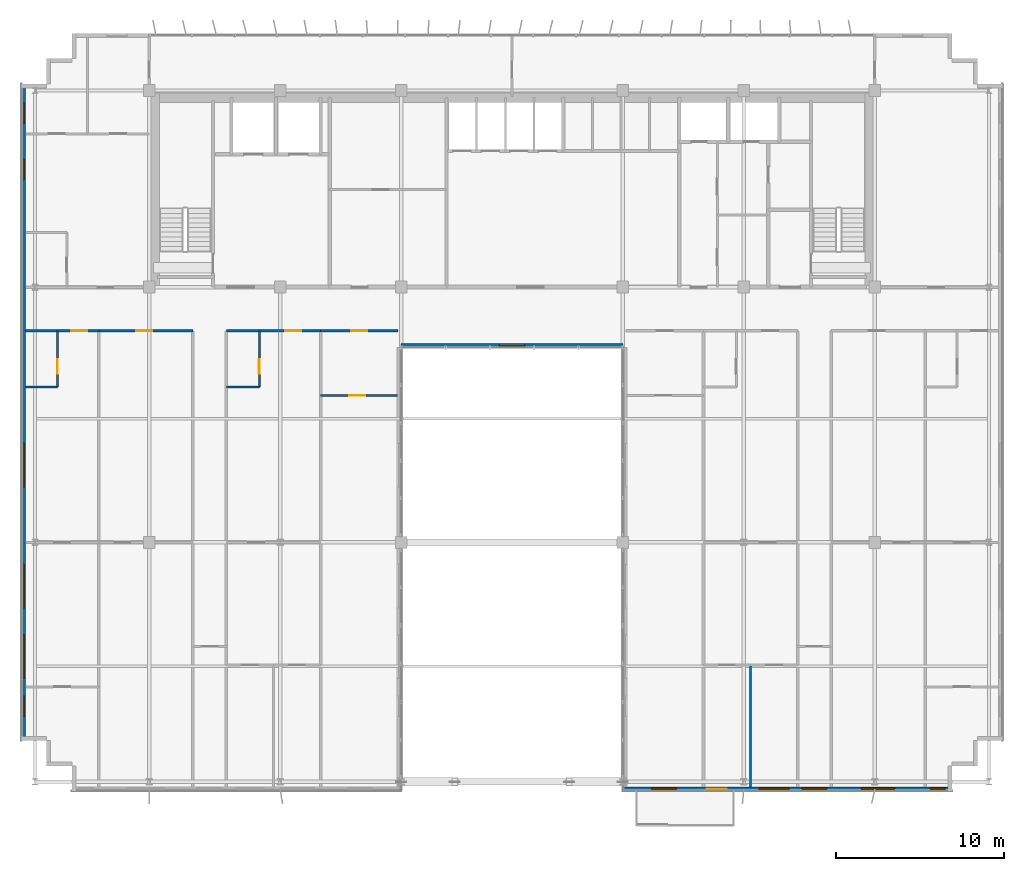
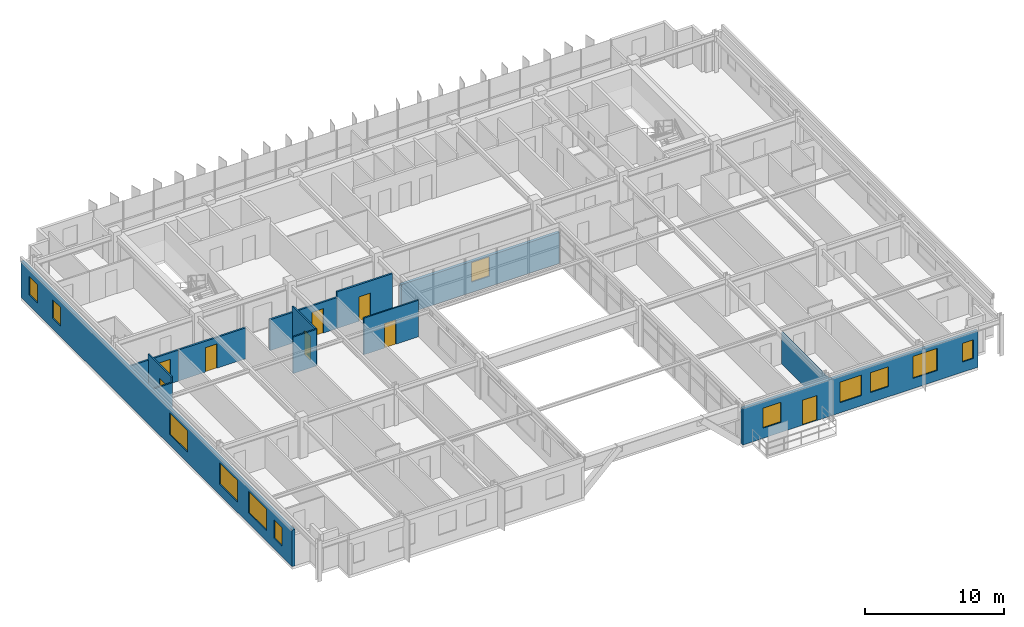
# One storey, part 31 of 37: 13 walls, 12 windows, 8 doors, 20 openings.
"""IFC4 building model written with IfcOpenShell, lengths in metres."""

from ifc_helpers import new_model, si_unit, direction, frame, frame_2d, origin, place, context, subcontext, project, spatial, rectangle, extrude, source, transform, mapped, material, layer, layer_set, type_object, element, fill, save


model = new_model("IFC4")

# Units and contexts
model_context = context("Model", 3, precision=1e-05, world=origin(), true_north=direction((0.0, 1.0)))
body_context = subcontext(model_context, "Body", "Model", "MODEL_VIEW")
ifc_project = project(units=[si_unit("LENGTHUNIT", "METRE"), si_unit("AREAUNIT", "SQUARE_METRE"), si_unit("VOLUMEUNIT", "CUBIC_METRE"), si_unit("PLANEANGLEUNIT", "RADIAN"), si_unit("MASSUNIT", "GRAM", prefix="KILO")], contexts=[model_context])

# Site, building, storey
site_placement = place(None, origin())
site = spatial("IfcSite", under=ifc_project, at=site_placement, CompositionType="ELEMENT")
building_placement = place(site_placement, origin())
building = spatial("IfcBuilding", under=site, at=building_placement, Name="Trelvane Seafront Commons", CompositionType="ELEMENT")
storey_placement = place(building_placement, frame((0.0, 0.0, 201.300048828125)))
storey = spatial("IfcBuildingStorey", under=building, at=storey_placement, Name="L52", CompositionType="ELEMENT", Elevation=201.300048828125)

# Wall, openings, windows
ifc_material_1 = material(Name="Precast concrete C40/50", Category="concrete")
ifc_layer_1 = layer(ifc_material_1, 0.239990234375, Name="ARCH-WALL-EXT240")
ifc_layer_set_1 = layer_set([ifc_layer_1], Name="Precast concrete C40/50")
wall_type_1 = type_object("IfcWallType", Name="ARCH-WALL-EXT240", PredefinedType="SOLIDWALL", material=ifc_layer_set_1)
wall_1_placement = place(storey_placement, frame((8.1201171875, 6.39990234375, 0.0), z_axis=(0.0, 0.0, 1.0), x_axis=(0.0, 1.0, 0.0)))
wall_1 = element("IfcWall", 1, at=wall_1_placement, inside=storey, type_object=wall_type_1, Name="EW-L52-01037", PredefinedType="SOLIDWALL", context=body_context, shape_type="SweptSolid", body=[
    extrude(rectangle(XDim=39.10009765625, YDim=0.239990234375, at=frame_2d((19.550048828125, 0.0))), origin(), (0.0, 0.0, 1.0), 3.219970703125),
])
opening_1_placement = place(wall_1_placement, frame((1.449951171875, 0.0, 0.919921875)))
opening_1 = element("IfcOpeningElement", 2, at=opening_1_placement, cuts=wall_1, Name="Opening W05", PredefinedType="OPENING", context=body_context, shape_type="SweptSolid", body=[
    extrude(rectangle(XDim=1.199951171875, YDim=1.64990234375, at=frame_2d((0.60009765625, 0.824951171875))), frame((0.0, 0.1298828125, 0.0), z_axis=(0.0, -1.0, 0.0), x_axis=(1.0, 0.0, 0.0)), (0.0, 0.0, 1.0), 0.260009765625),
])
opening_2_placement = place(wall_1_placement, frame((3.699951171875, 0.0, 0.919921875)))
opening_2 = element("IfcOpeningElement", 3, at=opening_2_placement, cuts=wall_1, Name="Opening W04", PredefinedType="OPENING", context=body_context, shape_type="SweptSolid", body=[
    extrude(rectangle(XDim=2.60009765625, YDim=1.89990234375, at=frame_2d((1.300048828125, 0.949951171875))), frame((0.0, 0.1298828125, 0.0), z_axis=(0.0, -1.0, 0.0), x_axis=(1.0, 0.0, 0.0)), (0.0, 0.0, 1.0), 0.260009765625),
])
opening_3_placement = place(wall_1_placement, frame((7.89990234375, 0.0, 0.919921875)))
opening_3 = element("IfcOpeningElement", 4, at=opening_3_placement, cuts=wall_1, Name="Opening W04", PredefinedType="OPENING", context=body_context, shape_type="SweptSolid", body=[
    extrude(rectangle(XDim=2.60009765625, YDim=1.89990234375, at=frame_2d((1.300048828125, 0.949951171875))), frame((0.0, 0.1298828125, 0.0), z_axis=(0.0, -1.0, 0.0), x_axis=(1.0, 0.0, 0.0)), (0.0, 0.0, 1.0), 0.260009765625),
])
opening_4_placement = place(wall_1_placement, frame((15.10009765625, 0.0, 0.919921875)))
opening_4 = element("IfcOpeningElement", 5, at=opening_4_placement, cuts=wall_1, Name="Opening W04", PredefinedType="OPENING", context=body_context, shape_type="SweptSolid", body=[
    extrude(rectangle(XDim=2.60009765625, YDim=1.89990234375, at=frame_2d((1.300048828125, 0.949951171875))), frame((0.0, 0.1298828125, 0.0), z_axis=(0.0, -1.0, 0.0), x_axis=(1.0, 0.0, 0.0)), (0.0, 0.0, 1.0), 0.260009765625),
])
opening_5_placement = place(wall_1_placement, frame((33.39990234375, 0.0, 0.919921875)))
opening_5 = element("IfcOpeningElement", 6, at=opening_5_placement, cuts=wall_1, Name="Opening W05", PredefinedType="OPENING", context=body_context, shape_type="SweptSolid", body=[
    extrude(rectangle(XDim=1.199951171875, YDim=1.64990234375, at=frame_2d((0.60009765625, 0.824951171875))), frame((0.0, 0.1298828125, 0.0), z_axis=(0.0, -1.0, 0.0), x_axis=(1.0, 0.0, 0.0)), (0.0, 0.0, 1.0), 0.260009765625),
])
opening_6_placement = place(wall_1_placement, frame((36.75, 0.0, 0.919921875)))
opening_6 = element("IfcOpeningElement", 7, at=opening_6_placement, cuts=wall_1, Name="Opening W05", PredefinedType="OPENING", context=body_context, shape_type="SweptSolid", body=[
    extrude(rectangle(XDim=1.199951171875, YDim=1.64990234375, at=frame_2d((0.60009765625, 0.824951171875))), frame((0.0, 0.1298828125, 0.0), z_axis=(0.0, -1.0, 0.0), x_axis=(1.0, 0.0, 0.0)), (0.0, 0.0, 1.0), 0.260009765625),
])
ifc_material_2 = material(Name="Low-E coastal double glazing", Category="glass")
window_type_1 = type_object("IfcWindowType", Name="ARCH-WIN-W04", PartitioningType="SINGLE_PANEL", PredefinedType="WINDOW", material=ifc_material_2)
shared_shape_1 = source(origin(), body_context, "Body", "SweptSolid", [
    extrude(rectangle(XDim=2.60009765625, YDim=1.89990234375, at=frame_2d((1.300048828125, 0.949951171875))), frame((0.0, 0.030029296875, 0.0), z_axis=(0.0, -1.0, 0.0), x_axis=(1.0, 0.0, 0.0)), (0.0, 0.0, 1.0), 0.06005859375),
])
window_1_placement = place(opening_2_placement, origin())
window_1 = element("IfcWindow", 8, at=window_1_placement, inside=storey, type_object=window_type_1, Name="WIN-L52-EW-01239", OverallHeight=1.89990234375, OverallWidth=2.60009765625, PartitioningType="SINGLE_PANEL", PredefinedType="WINDOW", context=body_context, shape_type="MappedRepresentation", body=[
    mapped(shared_shape_1, transform((0.0, 0.0, 0.0), x_axis=(1.0, 0.0, 0.0), y_axis=(0.0, 1.0, 0.0), z_axis=(0.0, 0.0, 1.0), scale=1.0)),
])
fill(opening_2, window_1)
window_2_placement = place(opening_3_placement, origin())
window_2 = element("IfcWindow", 9, at=window_2_placement, inside=storey, type_object=window_type_1, Name="WIN-L52-EW-01240", OverallHeight=1.89990234375, OverallWidth=2.60009765625, PartitioningType="SINGLE_PANEL", PredefinedType="WINDOW", context=body_context, shape_type="MappedRepresentation", body=[
    mapped(shared_shape_1, transform((0.0, 0.0, 0.0), x_axis=(1.0, 0.0, 0.0), y_axis=(0.0, 1.0, 0.0), z_axis=(0.0, 0.0, 1.0), scale=1.0)),
])
fill(opening_3, window_2)
window_3_placement = place(opening_4_placement, origin())
window_3 = element("IfcWindow", 10, at=window_3_placement, inside=storey, type_object=window_type_1, Name="WIN-L52-EW-01241", OverallHeight=1.89990234375, OverallWidth=2.60009765625, PartitioningType="SINGLE_PANEL", PredefinedType="WINDOW", context=body_context, shape_type="MappedRepresentation", body=[
    mapped(shared_shape_1, transform((0.0, 0.0, 0.0), x_axis=(1.0, 0.0, 0.0), y_axis=(0.0, 1.0, 0.0), z_axis=(0.0, 0.0, 1.0), scale=1.0)),
])
fill(opening_4, window_3)
window_type_2 = type_object("IfcWindowType", Name="ARCH-WIN-W05", PartitioningType="SINGLE_PANEL", PredefinedType="WINDOW", material=ifc_material_2)
shared_shape_2 = source(origin(), body_context, "Body", "SweptSolid", [
    extrude(rectangle(XDim=1.199951171875, YDim=1.64990234375, at=frame_2d((0.60009765625, 0.824951171875))), frame((0.0, 0.030029296875, 0.0), z_axis=(0.0, -1.0, 0.0), x_axis=(1.0, 0.0, 0.0)), (0.0, 0.0, 1.0), 0.06005859375),
])
window_4_placement = place(opening_1_placement, origin())
window_4 = element("IfcWindow", 11, at=window_4_placement, inside=storey, type_object=window_type_2, Name="WIN-L52-EW-01238", OverallHeight=1.64990234375, OverallWidth=1.199951171875, PartitioningType="SINGLE_PANEL", PredefinedType="WINDOW", context=body_context, shape_type="MappedRepresentation", body=[
    mapped(shared_shape_2, transform((0.0, 0.0, 0.0), x_axis=(1.0, 0.0, 0.0), y_axis=(0.0, 1.0, 0.0), z_axis=(0.0, 0.0, 1.0), scale=1.0)),
])
fill(opening_1, window_4)
window_5_placement = place(opening_5_placement, origin())
window_5 = element("IfcWindow", 12, at=window_5_placement, inside=storey, type_object=window_type_2, Name="WIN-L52-EW-01242", OverallHeight=1.64990234375, OverallWidth=1.199951171875, PartitioningType="SINGLE_PANEL", PredefinedType="WINDOW", context=body_context, shape_type="MappedRepresentation", body=[
    mapped(shared_shape_2, transform((0.0, 0.0, 0.0), x_axis=(1.0, 0.0, 0.0), y_axis=(0.0, 1.0, 0.0), z_axis=(0.0, 0.0, 1.0), scale=1.0)),
])
fill(opening_5, window_5)
window_6_placement = place(opening_6_placement, origin())
window_6 = element("IfcWindow", 13, at=window_6_placement, inside=storey, type_object=window_type_2, Name="WIN-L52-EW-01243", OverallHeight=1.64990234375, OverallWidth=1.199951171875, PartitioningType="SINGLE_PANEL", PredefinedType="WINDOW", context=body_context, shape_type="MappedRepresentation", body=[
    mapped(shared_shape_2, transform((0.0, 0.0, 0.0), x_axis=(1.0, 0.0, 0.0), y_axis=(0.0, 1.0, 0.0), z_axis=(0.0, 0.0, 1.0), scale=1.0)),
])
fill(opening_6, window_6)

# Wall, openings, door, windows
wall_2_placement = place(storey_placement, frame((63.39990234375, 3.52001953125, 0.0), z_axis=(0.0, 0.0, 1.0), x_axis=(-1.0, 0.0, 0.0)))
wall_2 = element("IfcWall", 14, at=wall_2_placement, inside=storey, type_object=wall_type_1, Name="EW-L52-01051", PredefinedType="SOLIDWALL", context=body_context, shape_type="SweptSolid", body=[
    extrude(rectangle(XDim=19.599853515625, YDim=0.239990234375, at=frame_2d((9.7998046875, 0.0))), origin(), (0.0, 0.0, 1.0), 3.219970703125),
])
opening_7_placement = place(wall_2_placement, frame((0.39501953125, 0.0, 0.89990234375)))
opening_7 = element("IfcOpeningElement", 15, at=opening_7_placement, cuts=wall_2, Name="Opening W11", PredefinedType="OPENING", context=body_context, shape_type="SweptSolid", body=[
    extrude(rectangle(XDim=0.89990234375, YDim=1.64990234375, at=frame_2d((0.449951171875, 0.824951171875))), frame((0.0, 0.1298828125, 0.0), z_axis=(0.0, -1.0, 0.0), x_axis=(1.0, 0.0, 0.0)), (0.0, 0.0, 1.0), 0.260009765625),
])
opening_8_placement = place(wall_2_placement, frame((3.39990234375, 0.0, 0.89990234375)))
opening_8 = element("IfcOpeningElement", 16, at=opening_8_placement, cuts=wall_2, Name="Opening W06", PredefinedType="OPENING", context=body_context, shape_type="SweptSolid", body=[
    extrude(rectangle(XDim=2.0, YDim=1.949951171875, at=frame_2d((1.0, 0.97509765625))), frame((0.0, 0.1298828125, 0.0), z_axis=(0.0, -1.0, 0.0), x_axis=(1.0, 0.0, 0.0)), (0.0, 0.0, 1.0), 0.260009765625),
])
opening_9_placement = place(wall_2_placement, frame((7.449951171875, 0.0, 0.89990234375)))
opening_9 = element("IfcOpeningElement", 17, at=opening_9_placement, cuts=wall_2, Name="Opening W03", PredefinedType="OPENING", context=body_context, shape_type="SweptSolid", body=[
    extrude(rectangle(XDim=1.5, YDim=1.75, at=frame_2d((0.75, 0.875))), frame((0.0, 0.1298828125, 0.0), z_axis=(0.0, -1.0, 0.0), x_axis=(1.0, 0.0, 0.0)), (0.0, 0.0, 1.0), 0.260009765625),
])
opening_10_placement = place(wall_2_placement, frame((9.699951171875, 0.0, 0.89990234375)))
opening_10 = element("IfcOpeningElement", 18, at=opening_10_placement, cuts=wall_2, Name="Opening W01", PredefinedType="OPENING", context=body_context, shape_type="SweptSolid", body=[
    extrude(rectangle(XDim=1.800048828125, YDim=1.800048828125, at=frame_2d((0.89990234375, 0.89990234375))), frame((0.0, 0.1298828125, 0.0), z_axis=(0.0, -1.0, 0.0), x_axis=(1.0, 0.0, 0.0)), (0.0, 0.0, 1.0), 0.260009765625),
])
opening_11_placement = place(wall_2_placement, frame((13.419921875, 0.0, 0.0)))
opening_11 = element("IfcOpeningElement", 19, at=opening_11_placement, cuts=wall_2, Name="Opening BD-L52-113", PredefinedType="OPENING", context=body_context, shape_type="SweptSolid", body=[
    extrude(rectangle(XDim=1.199951171875, YDim=2.199951171875, at=frame_2d((0.60009765625, 1.10009765625))), frame((0.0, 0.1298828125, 0.0), z_axis=(0.0, -1.0, 0.0), x_axis=(1.0, 0.0, 0.0)), (0.0, 0.0, 1.0), 0.260009765625),
])
opening_12_placement = place(wall_2_placement, frame((16.405029296875, 0.0, 0.89990234375)))
opening_12 = element("IfcOpeningElement", 20, at=opening_12_placement, cuts=wall_2, Name="Opening W03", PredefinedType="OPENING", context=body_context, shape_type="SweptSolid", body=[
    extrude(rectangle(XDim=1.5, YDim=1.75, at=frame_2d((0.75, 0.875))), frame((0.0, 0.1298828125, 0.0), z_axis=(0.0, -1.0, 0.0), x_axis=(1.0, 0.0, 0.0)), (0.0, 0.0, 1.0), 0.260009765625),
])
ifc_material_3 = material(Name="Powder-coated aluminium frame", Category="aluminium")
door_type_1 = type_object("IfcDoorType", Name="ARCH-DR-BAL1200", OperationType="NOTDEFINED", PredefinedType="DOOR", material=ifc_material_3)
shared_shape_3 = source(origin(), body_context, "Body", "SweptSolid", [
    extrude(rectangle(XDim=1.199951171875, YDim=2.199951171875, at=frame_2d((0.60009765625, 1.10009765625))), frame((0.0, 0.02490234375, 0.0), z_axis=(0.0, -1.0, 0.0), x_axis=(1.0, 0.0, 0.0)), (0.0, 0.0, 1.0), 0.050048828125),
])
door_1_placement = place(opening_11_placement, origin())
door_1 = element("IfcDoor", 21, at=door_1_placement, inside=storey, type_object=door_type_1, Name="L52 Balcony Terrace Access Door", OperationType="SINGLE_SWING_LEFT", OverallHeight=2.199951171875, OverallWidth=1.199951171875, PredefinedType="DOOR", context=body_context, shape_type="MappedRepresentation", body=[
    mapped(shared_shape_3, transform((0.0, 0.0, 0.0), x_axis=(1.0, 0.0, 0.0), y_axis=(0.0, 1.0, 0.0), z_axis=(0.0, 0.0, 1.0), scale=1.0)),
])
fill(opening_11, door_1)
window_type_3 = type_object("IfcWindowType", Name="ARCH-WIN-W03", PartitioningType="SINGLE_PANEL", PredefinedType="WINDOW", material=ifc_material_2)
shared_shape_4 = source(origin(), body_context, "Body", "SweptSolid", [
    extrude(rectangle(XDim=1.5, YDim=1.75, at=frame_2d((0.75, 0.875))), frame((0.0, 0.030029296875, 0.0), z_axis=(0.0, -1.0, 0.0), x_axis=(1.0, 0.0, 0.0)), (0.0, 0.0, 1.0), 0.06005859375),
])
window_7_placement = place(opening_9_placement, origin())
window_7 = element("IfcWindow", 22, at=window_7_placement, inside=storey, type_object=window_type_3, Name="WIN-L52-01253", OverallHeight=1.75, OverallWidth=1.5, PartitioningType="SINGLE_PANEL", PredefinedType="WINDOW", context=body_context, shape_type="MappedRepresentation", body=[
    mapped(shared_shape_4, transform((0.0, 0.0, 0.0), x_axis=(1.0, 0.0, 0.0), y_axis=(0.0, 1.0, 0.0), z_axis=(0.0, 0.0, 1.0), scale=1.0)),
])
fill(opening_9, window_7)
window_8_placement = place(opening_12_placement, origin())
window_8 = element("IfcWindow", 23, at=window_8_placement, inside=storey, type_object=window_type_3, Name="WIN-L52-01255", OverallHeight=1.75, OverallWidth=1.5, PartitioningType="SINGLE_PANEL", PredefinedType="WINDOW", context=body_context, shape_type="MappedRepresentation", body=[
    mapped(shared_shape_4, transform((0.0, 0.0, 0.0), x_axis=(1.0, 0.0, 0.0), y_axis=(0.0, 1.0, 0.0), z_axis=(0.0, 0.0, 1.0), scale=1.0)),
])
fill(opening_12, window_8)
window_type_4 = type_object("IfcWindowType", Name="ARCH-WIN-W06", PartitioningType="SINGLE_PANEL", PredefinedType="WINDOW", material=ifc_material_2)
shared_shape_5 = source(origin(), body_context, "Body", "SweptSolid", [
    extrude(rectangle(XDim=2.0, YDim=1.949951171875, at=frame_2d((1.0, 0.97509765625))), frame((0.0, 0.030029296875, 0.0), z_axis=(0.0, -1.0, 0.0), x_axis=(1.0, 0.0, 0.0)), (0.0, 0.0, 1.0), 0.06005859375),
])
window_9_placement = place(opening_8_placement, origin())
window_9 = element("IfcWindow", 24, at=window_9_placement, inside=storey, type_object=window_type_4, Name="WIN-L52-01252", OverallHeight=1.949951171875, OverallWidth=2.0, PartitioningType="SINGLE_PANEL", PredefinedType="WINDOW", context=body_context, shape_type="MappedRepresentation", body=[
    mapped(shared_shape_5, transform((0.0, 0.0, 0.0), x_axis=(1.0, 0.0, 0.0), y_axis=(0.0, 1.0, 0.0), z_axis=(0.0, 0.0, 1.0), scale=1.0)),
])
fill(opening_8, window_9)
window_type_5 = type_object("IfcWindowType", Name="ARCH-WIN-W01", PartitioningType="SINGLE_PANEL", PredefinedType="WINDOW", material=ifc_material_2)
shared_shape_6 = source(origin(), body_context, "Body", "SweptSolid", [
    extrude(rectangle(XDim=1.800048828125, YDim=1.800048828125, at=frame_2d((0.89990234375, 0.89990234375))), frame((0.0, 0.030029296875, 0.0), z_axis=(0.0, -1.0, 0.0), x_axis=(1.0, 0.0, 0.0)), (0.0, 0.0, 1.0), 0.06005859375),
])
window_10_placement = place(opening_10_placement, origin())
window_10 = element("IfcWindow", 25, at=window_10_placement, inside=storey, type_object=window_type_5, Name="WIN-L52-01254", OverallHeight=1.800048828125, OverallWidth=1.800048828125, PartitioningType="SINGLE_PANEL", PredefinedType="WINDOW", context=body_context, shape_type="MappedRepresentation", body=[
    mapped(shared_shape_6, transform((0.0, 0.0, 0.0), x_axis=(1.0, 0.0, 0.0), y_axis=(0.0, 1.0, 0.0), z_axis=(0.0, 0.0, 1.0), scale=1.0)),
])
fill(opening_10, window_10)
window_type_6 = type_object("IfcWindowType", Name="ARCH-WIN-W11", PartitioningType="SINGLE_PANEL", PredefinedType="WINDOW", material=ifc_material_2)
shared_shape_7 = source(origin(), body_context, "Body", "SweptSolid", [
    extrude(rectangle(XDim=0.89990234375, YDim=1.64990234375, at=frame_2d((0.449951171875, 0.824951171875))), frame((0.0, 0.030029296875, 0.0), z_axis=(0.0, -1.0, 0.0), x_axis=(1.0, 0.0, 0.0)), (0.0, 0.0, 1.0), 0.06005859375),
])
window_11_placement = place(opening_7_placement, origin())
window_11 = element("IfcWindow", 26, at=window_11_placement, inside=storey, type_object=window_type_6, Name="WIN-L52-01251", OverallHeight=1.64990234375, OverallWidth=0.89990234375, PartitioningType="SINGLE_PANEL", PredefinedType="WINDOW", context=body_context, shape_type="MappedRepresentation", body=[
    mapped(shared_shape_7, transform((0.0, 0.0, 0.0), x_axis=(1.0, 0.0, 0.0), y_axis=(0.0, 1.0, 0.0), z_axis=(0.0, 0.0, 1.0), scale=1.0)),
])
fill(opening_7, window_11)

# Wall, opening, window
wall_3_placement = place(storey_placement, frame((43.800048828125, 29.919921875, 0.0), z_axis=(0.0, 0.0, 1.0), x_axis=(-1.0, 0.0, 0.0)))
wall_3 = element("IfcWall", 27, at=wall_3_placement, inside=storey, type_object=wall_type_1, Name="EW-L52-01053", PredefinedType="SOLIDWALL", context=body_context, shape_type="SweptSolid", body=[
    extrude(rectangle(XDim=13.199951171875, YDim=0.239990234375, at=frame_2d((6.60009765625, 0.0))), origin(), (0.0, 0.0, 1.0), 2.719970703125),
])
opening_13_placement = place(wall_3_placement, frame((5.85009765625, 0.0, 0.89990234375)))
opening_13 = element("IfcOpeningElement", 28, at=opening_13_placement, cuts=wall_3, Name="Opening W03", PredefinedType="OPENING", context=body_context, shape_type="SweptSolid", body=[
    extrude(rectangle(XDim=1.5, YDim=1.719970703125, at=frame_2d((0.75, 0.85986328125))), frame((0.0, 0.1298828125, 0.0), z_axis=(0.0, -1.0, 0.0), x_axis=(1.0, 0.0, 0.0)), (0.0, 0.0, 1.0), 0.260009765625),
])
shared_shape_8 = source(origin(), body_context, "Body", "SweptSolid", [
    extrude(rectangle(XDim=1.5, YDim=1.719970703125, at=frame_2d((0.75, 0.85986328125))), frame((0.0, 0.030029296875, 0.0), z_axis=(0.0, -1.0, 0.0), x_axis=(1.0, 0.0, 0.0)), (0.0, 0.0, 1.0), 0.06005859375),
])
window_12_placement = place(opening_13_placement, origin())
window_12 = element("IfcWindow", 29, at=window_12_placement, inside=storey, type_object=window_type_3, Name="WIN-L52-01260", OverallHeight=1.719970703125, OverallWidth=1.5, PartitioningType="SINGLE_PANEL", PredefinedType="WINDOW", context=body_context, shape_type="MappedRepresentation", body=[
    mapped(shared_shape_8, transform((0.0, 0.0, 0.0), x_axis=(1.0, 0.0, 0.0), y_axis=(0.0, 1.0, 0.0), z_axis=(0.0, 0.0, 1.0), scale=1.0)),
])
fill(opening_13, window_12)

# Wall, opening, door
ifc_material_4 = material(Name="Gypsum Drywall Acoustic Partition")
ifc_layer_2 = layer(ifc_material_4, 0.1201171875, Name="ARCH-WALL-PART120")
ifc_layer_set_2 = layer_set([ifc_layer_2], Name="Gypsum Drywall Acoustic Partition")
wall_type_2 = type_object("IfcWallType", Name="ARCH-WALL-PART120", PredefinedType="PARTITIONING", material=ifc_layer_set_2)
wall_4_placement = place(storey_placement, frame((10.139892578125, 27.449951171875, 0.0), z_axis=(0.0, 0.0, 1.0), x_axis=(0.0, 1.0, 0.0)))
wall_4 = element("IfcWall", 30, at=wall_4_placement, inside=storey, type_object=wall_type_2, Name="W-L52-U1-BE-051", PredefinedType="PARTITIONING", context=body_context, shape_type="SweptSolid", body=[
    extrude(rectangle(XDim=3.35009765625, YDim=0.1201171875, at=frame_2d((1.675048828125, 0.0))), origin(), (0.0, 0.0, 1.0), 3.219970703125),
])
opening_14_placement = place(wall_4_placement, frame((0.800048828125, 0.0, 0.0)))
opening_14 = element("IfcOpeningElement", 31, at=opening_14_placement, cuts=wall_4, Name="Opening D-L52-29", PredefinedType="OPENING", context=body_context, shape_type="SweptSolid", body=[
    extrude(rectangle(XDim=0.85009765625, YDim=2.10009765625, at=frame_2d((0.425048828125, 1.050048828125))), frame((0.0, 0.070068359375, 0.0), z_axis=(0.0, -1.0, 0.0), x_axis=(1.0, 0.0, 0.0)), (0.0, 0.0, 1.0), 0.14013671875),
])
ifc_material_5 = material(Name="Acoustic timber door leaf", Category="wood")
door_type_2 = type_object("IfcDoorType", Name="ARCH-DR-INT850", OperationType="NOTDEFINED", PredefinedType="DOOR", material=ifc_material_5)
shared_shape_9 = source(origin(), body_context, "Body", "SweptSolid", [
    extrude(rectangle(XDim=0.85009765625, YDim=2.10009765625, at=frame_2d((0.425048828125, 1.050048828125))), frame((0.0, 0.02490234375, 0.0), z_axis=(0.0, -1.0, 0.0), x_axis=(1.0, 0.0, 0.0)), (0.0, 0.0, 1.0), 0.050048828125),
])
door_2_placement = place(opening_14_placement, origin())
door_2 = element("IfcDoor", 32, at=door_2_placement, inside=storey, type_object=door_type_2, Name="L52 Door 29", OperationType="SINGLE_SWING_LEFT", OverallHeight=2.10009765625, OverallWidth=0.85009765625, PredefinedType="DOOR", context=body_context, shape_type="MappedRepresentation", body=[
    mapped(shared_shape_9, transform((0.0, 0.0, 0.0), x_axis=(1.0, 0.0, 0.0), y_axis=(0.0, 1.0, 0.0), z_axis=(0.0, 0.0, 1.0), scale=1.0)),
])
fill(opening_14, door_2)

# Wall
wall_5_placement = place(storey_placement, frame((8.239990234375, 27.449951171875, 0.0), z_axis=(0.0, 0.0, 1.0), x_axis=(1.0, 0.0, 0.0)))
element("IfcWall", 33, at=wall_5_placement, inside=storey, type_object=wall_type_2, Name="W-L52-U1-BS-052", PredefinedType="PARTITIONING", context=body_context, shape_type="SweptSolid", body=[
    extrude(rectangle(XDim=1.89990234375, YDim=0.1201171875, at=frame_2d((0.949951171875, 0.0))), origin(), (0.0, 0.0, 1.0), 2.719970703125),
])

# Wall, opening, door
wall_6_placement = place(storey_placement, frame((22.154052734375, 27.449951171875, 0.0), z_axis=(0.0, 0.0, 1.0), x_axis=(0.0, 1.0, 0.0)))
wall_6 = element("IfcWall", 34, at=wall_6_placement, inside=storey, type_object=wall_type_2, Name="W-L52-U4-BE-061", PredefinedType="PARTITIONING", context=body_context, shape_type="SweptSolid", body=[
    extrude(rectangle(XDim=3.35009765625, YDim=0.1201171875, at=frame_2d((1.675048828125, 0.0))), origin(), (0.0, 0.0, 1.0), 3.219970703125),
])
opening_15_placement = place(wall_6_placement, frame((0.800048828125, 0.0, 0.0)))
opening_15 = element("IfcOpeningElement", 35, at=opening_15_placement, cuts=wall_6, Name="Opening D-L52-36", PredefinedType="OPENING", context=body_context, shape_type="SweptSolid", body=[
    extrude(rectangle(XDim=0.85009765625, YDim=2.10009765625, at=frame_2d((0.425048828125, 1.050048828125))), frame((0.0, 0.070068359375, 0.0), z_axis=(0.0, -1.0, 0.0), x_axis=(1.0, 0.0, 0.0)), (0.0, 0.0, 1.0), 0.14013671875),
])
door_3_placement = place(opening_15_placement, origin())
door_3 = element("IfcDoor", 36, at=door_3_placement, inside=storey, type_object=door_type_2, Name="L52 Door 36", OperationType="SINGLE_SWING_RIGHT", OverallHeight=2.10009765625, OverallWidth=0.85009765625, PredefinedType="DOOR", context=body_context, shape_type="MappedRepresentation", body=[
    mapped(shared_shape_9, transform((0.0, 0.0, 0.0), x_axis=(1.0, 0.0, 0.0), y_axis=(0.0, 1.0, 0.0), z_axis=(0.0, 0.0, 1.0), scale=1.0)),
])
fill(opening_15, door_3)

# Wall
wall_7_placement = place(storey_placement, frame((20.199951171875, 27.449951171875, 0.0), z_axis=(0.0, 0.0, 1.0), x_axis=(1.0, 0.0, 0.0)))
element("IfcWall", 37, at=wall_7_placement, inside=storey, type_object=wall_type_2, Name="W-L52-U4-BS-062", PredefinedType="PARTITIONING", context=body_context, shape_type="SweptSolid", body=[
    extrude(rectangle(XDim=1.9541015625, YDim=0.1201171875, at=frame_2d((0.97705078125, 0.0))), origin(), (0.0, 0.0, 1.0), 3.219970703125),
])

# Wall, opening, door
wall_8_placement = place(storey_placement, frame((25.800048828125, 26.949951171875, 0.0), z_axis=(0.0, 0.0, 1.0), x_axis=(1.0, 0.0, 0.0)))
wall_8 = element("IfcWall", 38, at=wall_8_placement, inside=storey, type_object=wall_type_2, Name="W-L52-U5-DIV-068", PredefinedType="PARTITIONING", context=body_context, shape_type="SweptSolid", body=[
    extrude(rectangle(XDim=4.574951171875, YDim=0.1201171875, at=frame_2d((2.28759765625, 0.0))), origin(), (0.0, 0.0, 1.0), 3.219970703125),
])
opening_16_placement = place(wall_8_placement, frame((1.717041015625, 0.0, 0.0)))
opening_16 = element("IfcOpeningElement", 39, at=opening_16_placement, cuts=wall_8, Name="Opening D-L52-41", PredefinedType="OPENING", context=body_context, shape_type="SweptSolid", body=[
    extrude(rectangle(XDim=0.949951171875, YDim=2.14990234375, at=frame_2d((0.47509765625, 1.074951171875))), frame((0.0, 0.070068359375, 0.0), z_axis=(0.0, -1.0, 0.0), x_axis=(1.0, 0.0, 0.0)), (0.0, 0.0, 1.0), 0.14013671875),
])
door_type_3 = type_object("IfcDoorType", Name="ARCH-DR-INT950", OperationType="NOTDEFINED", PredefinedType="DOOR", material=ifc_material_5)
shared_shape_10 = source(origin(), body_context, "Body", "SweptSolid", [
    extrude(rectangle(XDim=0.949951171875, YDim=2.14990234375, at=frame_2d((0.47509765625, 1.074951171875))), frame((0.0, 0.02490234375, 0.0), z_axis=(0.0, -1.0, 0.0), x_axis=(1.0, 0.0, 0.0)), (0.0, 0.0, 1.0), 0.050048828125),
])
door_4_placement = place(opening_16_placement, origin())
door_4 = element("IfcDoor", 40, at=door_4_placement, inside=storey, type_object=door_type_3, Name="L52 Door 41", OperationType="SINGLE_SWING_LEFT", OverallHeight=2.14990234375, OverallWidth=0.949951171875, PredefinedType="DOOR", context=body_context, shape_type="MappedRepresentation", body=[
    mapped(shared_shape_10, transform((0.0, 0.0, 0.0), x_axis=(1.0, 0.0, 0.0), y_axis=(0.0, 1.0, 0.0), z_axis=(0.0, 0.0, 1.0), scale=1.0)),
])
fill(opening_16, door_4)

# Wall
wall_9_placement = place(storey_placement, frame((51.39990234375, 3.625, 0.0), z_axis=(0.0, 0.0, 1.0), x_axis=(0.0, 1.0, 0.0)))
element("IfcWall", 41, at=wall_9_placement, inside=storey, type_object=wall_type_2, Name="W-L52-U8-BDV-1-077", PredefinedType="PARTITIONING", context=body_context, shape_type="SweptSolid", body=[
    extrude(rectangle(XDim=7.27490234375, YDim=0.1201171875, at=frame_2d((3.637451171875, 0.0))), origin(), (0.0, 0.0, 1.0), 2.77001953125),
])

# Wall, opening, door
ifc_layer_3 = layer(ifc_material_4, 0.14990234375, Name="ARCH-WALL-PART150")
ifc_layer_set_3 = layer_set([ifc_layer_3], Name="Gypsum Drywall Acoustic Partition")
wall_type_3 = type_object("IfcWallType", Name="ARCH-WALL-PART150", PredefinedType="PARTITIONING", material=ifc_layer_set_3)
wall_10_placement = place(storey_placement, frame((8.22509765625, 30.800048828125, 0.0), z_axis=(0.0, 0.0, 1.0), x_axis=(1.0, 0.0, 0.0)))
wall_10 = element("IfcWall", 42, at=wall_10_placement, inside=storey, type_object=wall_type_3, Name="W-L52-CS-BAY-1-053", PredefinedType="PARTITIONING", context=body_context, shape_type="SweptSolid", body=[
    extrude(rectangle(XDim=4.375, YDim=0.14990234375, at=frame_2d((2.1875, 0.0))), origin(), (0.0, 0.0, 1.0), 2.719970703125),
])
opening_17_placement = place(wall_10_placement, frame((2.743896484375, 0.0, 0.0)))
opening_17 = element("IfcOpeningElement", 43, at=opening_17_placement, cuts=wall_10, Name="Opening FD-L52-30", PredefinedType="OPENING", context=body_context, shape_type="SweptSolid", body=[
    extrude(rectangle(XDim=0.949951171875, YDim=2.14990234375, at=frame_2d((0.47509765625, 1.074951171875))), frame((0.0, 0.0849609375, 0.0), z_axis=(0.0, -1.0, 0.0), x_axis=(1.0, 0.0, 0.0)), (0.0, 0.0, 1.0), 0.169921875),
])
door_type_4 = type_object("IfcDoorType", Name="ARCH-DR-FD60-950", OperationType="NOTDEFINED", PredefinedType="DOOR", material=ifc_material_3)
door_5_placement = place(opening_17_placement, origin())
door_5 = element("IfcDoor", 44, at=door_5_placement, inside=storey, type_object=door_type_4, Name="L52 Unit 01 Entrance Door", OperationType="SINGLE_SWING_RIGHT", OverallHeight=2.14990234375, OverallWidth=0.949951171875, PredefinedType="DOOR", context=body_context, shape_type="MappedRepresentation", body=[
    mapped(shared_shape_10, transform((0.0, 0.0, 0.0), x_axis=(1.0, 0.0, 0.0), y_axis=(0.0, 1.0, 0.0), z_axis=(0.0, 0.0, 1.0), scale=1.0)),
])
fill(opening_17, door_5)

wall_11_placement = place(storey_placement, frame((12.60009765625, 30.800048828125, 0.0), z_axis=(0.0, 0.0, 1.0), x_axis=(1.0, 0.0, 0.0)))
wall_11 = element("IfcWall", 45, at=wall_11_placement, inside=storey, type_object=wall_type_3, Name="W-L52-CS-BAY-2-055", PredefinedType="PARTITIONING", context=body_context, shape_type="SweptSolid", body=[
    extrude(rectangle(XDim=5.599853515625, YDim=0.14990234375, at=frame_2d((2.7998046875, 0.0))), origin(), (0.0, 0.0, 1.0), 2.719970703125),
])
opening_18_placement = place(wall_11_placement, frame((2.23193359375, 0.0, 0.0)))
opening_18 = element("IfcOpeningElement", 46, at=opening_18_placement, cuts=wall_11, Name="Opening FD-L52-32", PredefinedType="OPENING", context=body_context, shape_type="SweptSolid", body=[
    extrude(rectangle(XDim=0.949951171875, YDim=2.14990234375, at=frame_2d((0.47509765625, 1.074951171875))), frame((0.0, 0.0849609375, 0.0), z_axis=(0.0, -1.0, 0.0), x_axis=(1.0, 0.0, 0.0)), (0.0, 0.0, 1.0), 0.169921875),
])
door_6_placement = place(opening_18_placement, origin())
door_6 = element("IfcDoor", 47, at=door_6_placement, inside=storey, type_object=door_type_4, Name="L52 Bay 02 Entrance Door", OperationType="SINGLE_SWING_RIGHT", OverallHeight=2.14990234375, OverallWidth=0.949951171875, PredefinedType="DOOR", context=body_context, shape_type="MappedRepresentation", body=[
    mapped(shared_shape_10, transform((0.0, 0.0, 0.0), x_axis=(1.0, 0.0, 0.0), y_axis=(0.0, 1.0, 0.0), z_axis=(0.0, 0.0, 1.0), scale=1.0)),
])
fill(opening_18, door_6)

wall_12_placement = place(storey_placement, frame((20.199951171875, 30.800048828125, 0.0), z_axis=(0.0, 0.0, 1.0), x_axis=(1.0, 0.0, 0.0)))
wall_12 = element("IfcWall", 48, at=wall_12_placement, inside=storey, type_object=wall_type_3, Name="W-L52-CS-BAY-4-063", PredefinedType="PARTITIONING", context=body_context, shape_type="SweptSolid", body=[
    extrude(rectangle(XDim=5.60009765625, YDim=0.14990234375, at=frame_2d((2.800048828125, 0.0))), origin(), (0.0, 0.0, 1.0), 2.719970703125),
])
opening_19_placement = place(wall_12_placement, frame((3.491943359375, 0.0, 0.0)))
opening_19 = element("IfcOpeningElement", 49, at=opening_19_placement, cuts=wall_12, Name="Opening FD-L52-37", PredefinedType="OPENING", context=body_context, shape_type="SweptSolid", body=[
    extrude(rectangle(XDim=0.949951171875, YDim=2.14990234375, at=frame_2d((0.47509765625, 1.074951171875))), frame((0.0, 0.0849609375, 0.0), z_axis=(0.0, -1.0, 0.0), x_axis=(1.0, 0.0, 0.0)), (0.0, 0.0, 1.0), 0.169921875),
])
door_7_placement = place(opening_19_placement, origin())
door_7 = element("IfcDoor", 50, at=door_7_placement, inside=storey, type_object=door_type_4, Name="L52 Unit 04 Entrance Door", OperationType="SINGLE_SWING_LEFT", OverallHeight=2.14990234375, OverallWidth=0.949951171875, PredefinedType="DOOR", context=body_context, shape_type="MappedRepresentation", body=[
    mapped(shared_shape_10, transform((0.0, 0.0, 0.0), x_axis=(1.0, 0.0, 0.0), y_axis=(0.0, 1.0, 0.0), z_axis=(0.0, 0.0, 1.0), scale=1.0)),
])
fill(opening_19, door_7)

wall_13_placement = place(storey_placement, frame((25.800048828125, 30.800048828125, 0.0), z_axis=(0.0, 0.0, 1.0), x_axis=(1.0, 0.0, 0.0)))
wall_13 = element("IfcWall", 51, at=wall_13_placement, inside=storey, type_object=wall_type_3, Name="W-L52-CS-BAY-5-067", PredefinedType="PARTITIONING", context=body_context, shape_type="SweptSolid", body=[
    extrude(rectangle(XDim=4.599853515625, YDim=0.14990234375, at=frame_2d((2.2998046875, 0.0))), origin(), (0.0, 0.0, 1.0), 3.219970703125),
])
opening_20_placement = place(wall_13_placement, frame((1.824951171875, 0.0, 0.0)))
opening_20 = element("IfcOpeningElement", 52, at=opening_20_placement, cuts=wall_13, Name="Opening FD-L52-40", PredefinedType="OPENING", context=body_context, shape_type="SweptSolid", body=[
    extrude(rectangle(XDim=0.949951171875, YDim=2.14990234375, at=frame_2d((0.47509765625, 1.074951171875))), frame((0.0, 0.0849609375, 0.0), z_axis=(0.0, -1.0, 0.0), x_axis=(1.0, 0.0, 0.0)), (0.0, 0.0, 1.0), 0.169921875),
])
door_8_placement = place(opening_20_placement, origin())
door_8 = element("IfcDoor", 53, at=door_8_placement, inside=storey, type_object=door_type_4, Name="L52 Bay 05 Entrance Door", OperationType="SINGLE_SWING_RIGHT", OverallHeight=2.14990234375, OverallWidth=0.949951171875, PredefinedType="DOOR", context=body_context, shape_type="MappedRepresentation", body=[
    mapped(shared_shape_10, transform((0.0, 0.0, 0.0), x_axis=(1.0, 0.0, 0.0), y_axis=(0.0, 1.0, 0.0), z_axis=(0.0, 0.0, 1.0), scale=1.0)),
])
fill(opening_20, door_8)

save(model, "model.ifc")
